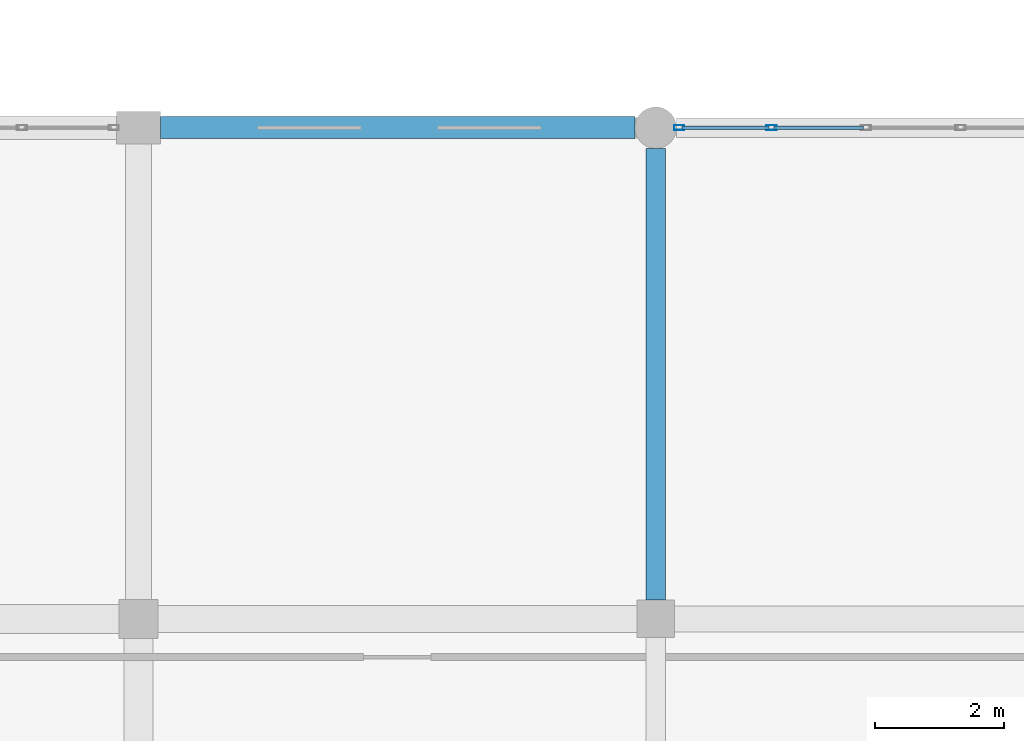
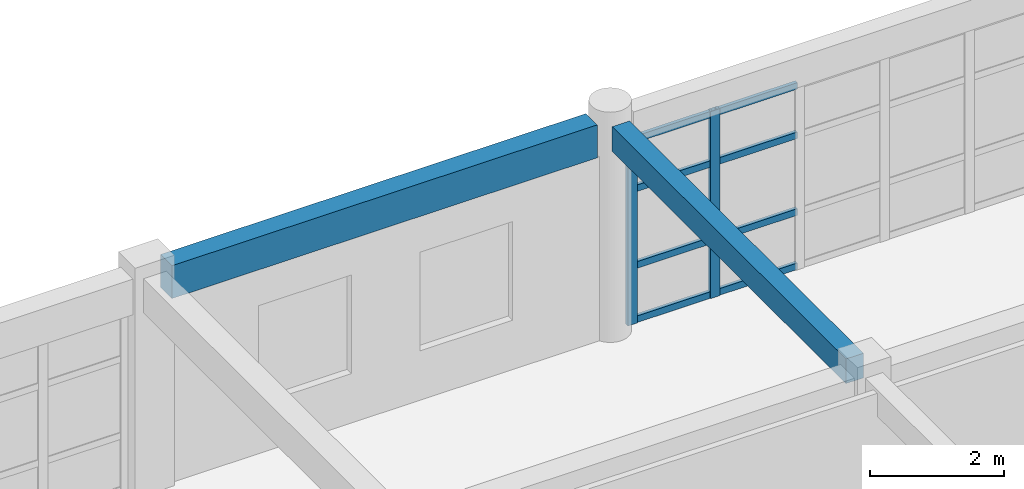
# One storey, part 36 of 121: 10 members, 2 beams, 1 element without a shape of its own.
"""IFC4 building model written with IfcOpenShell, lengths in metres."""

from ifc_helpers import new_model, si_unit, direction, frame, origin, origin_2d, place, context, subcontext, project, spatial, rectangle, hollow_rectangle, extrude, material, material_profile, profile_set, type_object, element, aggregate, save


model = new_model("IFC4")

# Units and contexts
model_context = context("Model", 3, precision=1e-05, world=origin(), true_north=direction((0.0, 1.0)))
body_context = subcontext(model_context, "Body", "Model", "MODEL_VIEW")
ifc_project = project(units=[si_unit("LENGTHUNIT", "METRE"), si_unit("AREAUNIT", "SQUARE_METRE"), si_unit("VOLUMEUNIT", "CUBIC_METRE"), si_unit("PLANEANGLEUNIT", "RADIAN"), si_unit("MASSUNIT", "GRAM", prefix="KILO")], contexts=[model_context])

# Site, building, storey
site_placement = place(None, origin())
site = spatial("IfcSite", under=ifc_project, at=site_placement, CompositionType="ELEMENT")
building_placement = place(site_placement, origin())
building = spatial("IfcBuilding", under=site, at=building_placement, Name="Kharva Crest Polytechnic", CompositionType="ELEMENT")
storey_placement = place(building_placement, frame((0.0, 0.0, 13.199951171875)))
storey = spatial("IfcBuildingStorey", under=building, at=storey_placement, Name="L03", CompositionType="ELEMENT", Elevation=13.199951171875)

# Beam
ifc_material_1 = material(Name="Concrete C35/45", Category="concrete")
ifc_material_profile_1 = material_profile(ifc_material_1, rectangle(XDim=0.300048828125, YDim=0.449951171875, at=origin_2d()), Name="RECT 300 X 450")
ifc_profile_set_1 = profile_set([ifc_material_profile_1], Name="Concrete C35/45")
beam_type_1 = type_object("IfcBeamType", Name="BM-RC-300X450", PredefinedType="BEAM", material=ifc_profile_set_1)
beam_1_placement = place(storey_placement, frame((88.0, 15.489990234375, 3.735107421875), z_axis=(0.0, 1.0, 0.0), x_axis=(-1.0, 0.0, 0.0)))
element("IfcBeam", 1, at=beam_1_placement, inside=storey, type_object=beam_type_1, Name="L03 Girder 12/C-D", PredefinedType="BEAM", context=body_context, shape_type="SweptSolid", body=[
    extrude(rectangle(XDim=0.300048828125, YDim=0.449951171875, at=origin_2d()), origin(), (0.0, 0.0, 1.0), 6.989990234375),
])

# Curtain wall, members
ifc_material_2 = material(Name="Tempered insulated glass", Category="glass")
curtain_wall_type = type_object("IfcCurtainWallType", Name="CW-SYS-COURT", PredefinedType="USERDEFINED", material=ifc_material_2)
curtain_wall_placement = place(storey_placement, origin())
curtain_wall = element("IfcCurtainWall", 2, at=curtain_wall_placement, inside=storey, type_object=curtain_wall_type, Name="L03 Glazed Curtain Wall CW-137", ObjectType="CURTAIN WALL", PredefinedType="USERDEFINED")
ifc_material_3 = material(Name="Steel S355", Category="steel")
ifc_material_profile_2 = material_profile(ifc_material_3, hollow_rectangle(XDim=0.080078125, YDim=0.159912109375, WallThickness=0.0048828125, at=origin_2d()), Name="RHS 160X80X5.0")
ifc_profile_set_2 = profile_set([ifc_material_profile_2], Name="Steel S355")
member_type_1 = type_object("IfcMemberType", Name="CWM-RHS160X80", PredefinedType="MULLION", material=ifc_profile_set_2)
member_1_placement = place(storey_placement, frame((89.7890625, 22.800048828125, 0.0), z_axis=(0.0, 0.0, 1.0), x_axis=(0.0, -1.0, 0.0)))
member_1 = element("IfcMember", 3, at=member_1_placement, type_object=member_type_1, Name="CW-137 mullion 5", PredefinedType="MULLION", context=body_context, shape_type="SweptSolid", body=[
    extrude(hollow_rectangle(XDim=0.080078125, YDim=0.159912109375, WallThickness=0.0048828125, at=origin_2d()), origin(), (0.0, 0.0, 1.0), 3.41015625),
])
member_2_placement = place(storey_placement, frame((88.364990234375, 22.800048828125, 0.0), z_axis=(0.0, 0.0, 1.0), x_axis=(0.0, -1.0, 0.0)))
member_2 = element("IfcMember", 4, at=member_2_placement, type_object=member_type_1, Name="CW-137 mullion 6", PredefinedType="MULLION", context=body_context, shape_type="SweptSolid", body=[
    extrude(hollow_rectangle(XDim=0.080078125, YDim=0.159912109375, WallThickness=0.0048828125, at=origin_2d()), origin(), (0.0, 0.0, 1.0), 3.41015625),
])
ifc_material_profile_3 = material_profile(ifc_material_3, hollow_rectangle(XDim=0.06005859375, YDim=0.1201171875, WallThickness=0.00390625, at=origin_2d()), Name="RHS 120X60X4.0")
ifc_profile_set_3 = profile_set([ifc_material_profile_3], Name="Steel S355")
member_type_2 = type_object("IfcMemberType", Name="CWT-RHS120X60", PredefinedType="USERDEFINED", material=ifc_profile_set_3)
member_3_placement = place(storey_placement, frame((91.212890625, 22.800048828125, 0.06005859375), z_axis=(-1.0, 0.0, 0.0), x_axis=(0.0, -1.0, 0.0)))
member_3 = element("IfcMember", 5, at=member_3_placement, type_object=member_type_2, Name="CW-137 transom 4.1", ObjectType="TRANSOM", PredefinedType="USERDEFINED", context=body_context, shape_type="SweptSolid", body=[
    extrude(hollow_rectangle(XDim=0.06005859375, YDim=0.1201171875, WallThickness=0.00390625, at=origin_2d()), origin(), (0.0, 0.0, 1.0), 1.3837890625),
])
member_4_placement = place(storey_placement, frame((91.212890625, 22.800048828125, 1.050048828125), z_axis=(-1.0, 0.0, 0.0), x_axis=(0.0, -1.0, 0.0)))
member_4 = element("IfcMember", 6, at=member_4_placement, type_object=member_type_2, Name="CW-137 transom 4.2", ObjectType="TRANSOM", PredefinedType="USERDEFINED", context=body_context, shape_type="SweptSolid", body=[
    extrude(hollow_rectangle(XDim=0.06005859375, YDim=0.1201171875, WallThickness=0.00390625, at=origin_2d()), origin(), (0.0, 0.0, 1.0), 1.3837890625),
])
member_5_placement = place(storey_placement, frame((91.212890625, 22.800048828125, 2.449951171875), z_axis=(-1.0, 0.0, 0.0), x_axis=(0.0, -1.0, 0.0)))
member_5 = element("IfcMember", 7, at=member_5_placement, type_object=member_type_2, Name="CW-137 transom 4.3", ObjectType="TRANSOM", PredefinedType="USERDEFINED", context=body_context, shape_type="SweptSolid", body=[
    extrude(hollow_rectangle(XDim=0.06005859375, YDim=0.1201171875, WallThickness=0.00390625, at=origin_2d()), origin(), (0.0, 0.0, 1.0), 1.3837890625),
])
member_6_placement = place(storey_placement, frame((91.212890625, 22.800048828125, 3.35009765625), z_axis=(-1.0, 0.0, 0.0), x_axis=(0.0, -1.0, 0.0)))
member_6 = element("IfcMember", 8, at=member_6_placement, type_object=member_type_2, Name="CW-137 transom 4.4", ObjectType="TRANSOM", PredefinedType="USERDEFINED", context=body_context, shape_type="SweptSolid", body=[
    extrude(hollow_rectangle(XDim=0.06005859375, YDim=0.1201171875, WallThickness=0.00390625, at=origin_2d()), origin(), (0.0, 0.0, 1.0), 1.3837890625),
])
member_7_placement = place(storey_placement, frame((89.7490234375, 22.800048828125, 0.06005859375), z_axis=(-1.0, 0.0, 0.0), x_axis=(0.0, -1.0, 0.0)))
member_7 = element("IfcMember", 9, at=member_7_placement, type_object=member_type_2, Name="CW-137 transom 5.1", ObjectType="TRANSOM", PredefinedType="USERDEFINED", context=body_context, shape_type="SweptSolid", body=[
    extrude(hollow_rectangle(XDim=0.06005859375, YDim=0.1201171875, WallThickness=0.00390625, at=origin_2d()), origin(), (0.0, 0.0, 1.0), 1.343994140625),
])
member_8_placement = place(storey_placement, frame((89.7490234375, 22.800048828125, 1.050048828125), z_axis=(-1.0, 0.0, 0.0), x_axis=(0.0, -1.0, 0.0)))
member_8 = element("IfcMember", 10, at=member_8_placement, type_object=member_type_2, Name="CW-137 transom 5.2", ObjectType="TRANSOM", PredefinedType="USERDEFINED", context=body_context, shape_type="SweptSolid", body=[
    extrude(hollow_rectangle(XDim=0.06005859375, YDim=0.1201171875, WallThickness=0.00390625, at=origin_2d()), origin(), (0.0, 0.0, 1.0), 1.343994140625),
])
member_9_placement = place(storey_placement, frame((89.7490234375, 22.800048828125, 2.449951171875), z_axis=(-1.0, 0.0, 0.0), x_axis=(0.0, -1.0, 0.0)))
member_9 = element("IfcMember", 11, at=member_9_placement, type_object=member_type_2, Name="CW-137 transom 5.3", ObjectType="TRANSOM", PredefinedType="USERDEFINED", context=body_context, shape_type="SweptSolid", body=[
    extrude(hollow_rectangle(XDim=0.06005859375, YDim=0.1201171875, WallThickness=0.00390625, at=origin_2d()), origin(), (0.0, 0.0, 1.0), 1.343994140625),
])
member_10_placement = place(storey_placement, frame((89.7490234375, 22.800048828125, 3.35009765625), z_axis=(-1.0, 0.0, 0.0), x_axis=(0.0, -1.0, 0.0)))
member_10 = element("IfcMember", 12, at=member_10_placement, type_object=member_type_2, Name="CW-137 transom 5.4", ObjectType="TRANSOM", PredefinedType="USERDEFINED", context=body_context, shape_type="SweptSolid", body=[
    extrude(hollow_rectangle(XDim=0.06005859375, YDim=0.1201171875, WallThickness=0.00390625, at=origin_2d()), origin(), (0.0, 0.0, 1.0), 1.343994140625),
])
aggregate(curtain_wall, [member_1, member_2, member_3, member_4, member_5, member_6, member_7, member_8, member_9, member_10])

# Beam
ifc_material_profile_4 = material_profile(ifc_material_1, rectangle(XDim=0.340087890625, YDim=0.60009765625, at=origin_2d()), Name="RECT 340 X 600")
ifc_profile_set_4 = profile_set([ifc_material_profile_4], Name="Concrete C35/45")
beam_type_2 = type_object("IfcBeamType", Name="SP-RC-340X600", PredefinedType="SPANDREL", material=ifc_profile_set_4)
beam_2_placement = place(storey_placement, frame((80.340087890625, 22.800048828125, 3.66015625), z_axis=(1.0, 0.0, 0.0), x_axis=(0.0, 1.0, 0.0)))
element("IfcBeam", 13, at=beam_2_placement, inside=storey, type_object=beam_type_2, Name="L03 Beam D/11-12", PredefinedType="SPANDREL", context=body_context, shape_type="SweptSolid", body=[
    extrude(rectangle(XDim=0.340087890625, YDim=0.60009765625, at=origin_2d()), origin(), (0.0, 0.0, 1.0), 7.33984375),
])

save(model, "model.ifc")
